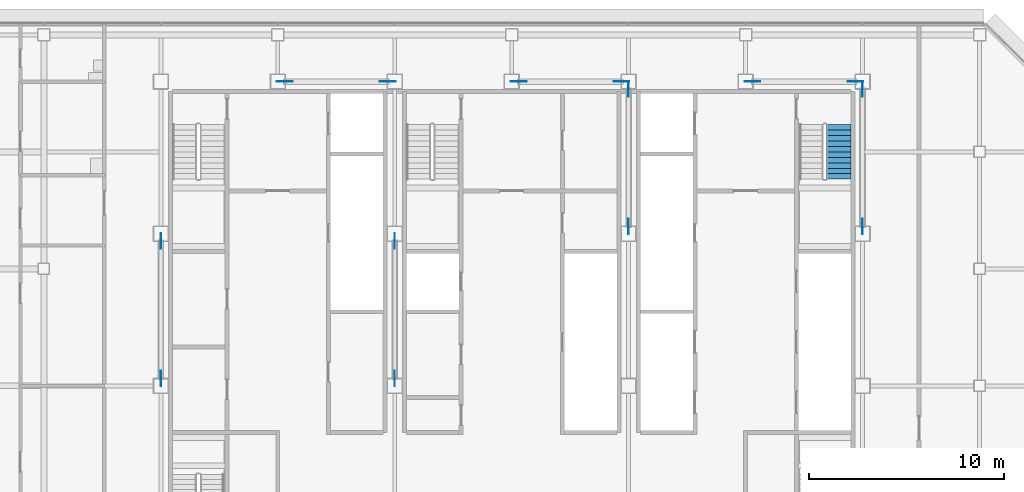
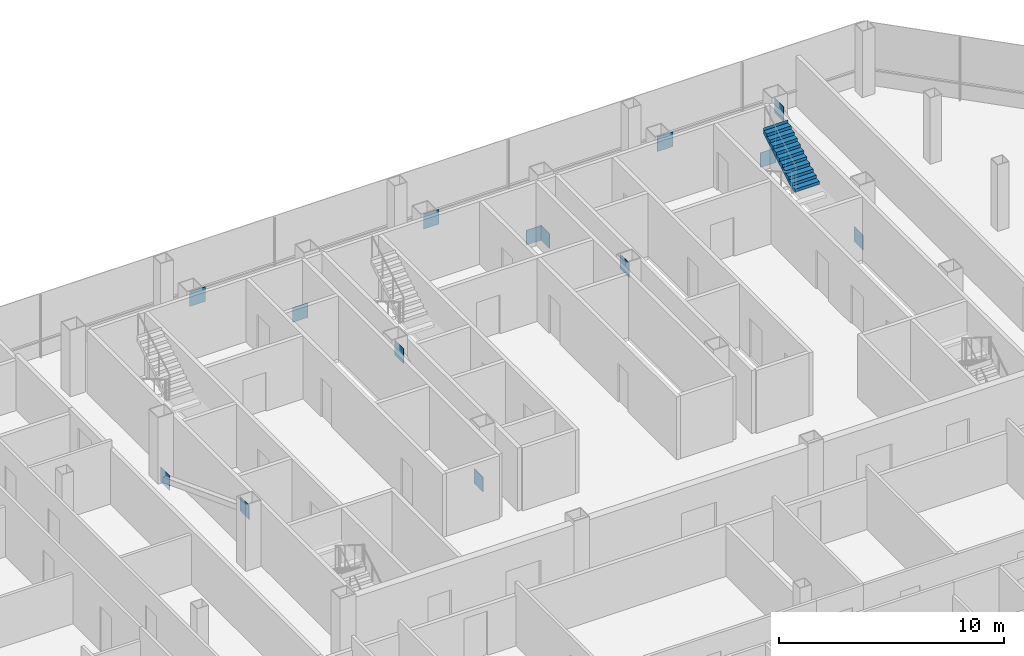
# One storey, part 25 of 27: 14 discrete accessories, 1 stair flight, 1 element without a shape of its own.
"""IFC4 building model written with IfcOpenShell, lengths in metres."""

from ifc_helpers import new_model, si_unit, direction, frame, origin, origin_2d, place, context, subcontext, project, spatial, polyline, rectangle, outline, extrude, material, layer, layer_set, type_object, element, aggregate, save


model = new_model("IFC4")

# Units and contexts
model_context = context("Model", 3, precision=1e-05, world=origin(), true_north=direction((0.0, 1.0)))
body_context = subcontext(model_context, "Body", "Model", "MODEL_VIEW")
ifc_project = project(units=[si_unit("LENGTHUNIT", "METRE"), si_unit("AREAUNIT", "SQUARE_METRE"), si_unit("VOLUMEUNIT", "CUBIC_METRE"), si_unit("PLANEANGLEUNIT", "RADIAN"), si_unit("MASSUNIT", "GRAM", prefix="KILO")], contexts=[model_context])

# Site, building, storey
site_placement = place(None, origin())
site = spatial("IfcSite", under=ifc_project, at=site_placement, CompositionType="ELEMENT")
building_placement = place(site_placement, origin())
building = spatial("IfcBuilding", under=site, at=building_placement, Name="Sorahane Residences", CompositionType="ELEMENT")
storey_placement = place(building_placement, frame((0.0, 0.0, 226.199951171875)))
storey = spatial("IfcBuildingStorey", under=building, at=storey_placement, Name="L53", CompositionType="ELEMENT", Elevation=226.199951171875)

# Stair, stair flight
ifc_material_1 = material(Name="Concrete C40", Category="concrete")
stair_type = type_object("IfcStairType", Name="Dog-leg stair 1250 Concrete C40", PredefinedType="HALF_TURN_STAIR", material=ifc_material_1)
stair_placement = place(storey_placement, origin())
stair = element("IfcStair", 1, at=stair_placement, inside=storey, type_object=stair_type, Name="L53 Stair S2", PredefinedType="HALF_TURN_STAIR")
ifc_material_2 = material(Name="Concrete C40", Category="concrete")
stair_flight_type = type_object("IfcStairFlightType", Name="Stair flight 1250 Concrete C40", PredefinedType="STRAIGHT", material=ifc_material_2)
stair_flight_placement = place(storey_placement, frame((40.77490234375, 40.60009765625, 1.800048828125), z_axis=(0.0, 0.0, 1.0), x_axis=(0.0, 1.0, 0.0)))
stair_flight = element("IfcStairFlight", 2, at=stair_flight_placement, type_object=stair_flight_type, Name="S2 flight 2", NumberOfRisers=11, NumberOfTreads=10, PredefinedType="STRAIGHT", RiserHeight=0.163636364, TreadLength=0.28, context=body_context, shape_type="SweptSolid", body=[
    extrude(outline(polyline([(0.0, 0.0), (0.0, 0.16357421875), (0.280029296875, 0.16357421875), (0.280029296875, 0.327392578125), (0.56005859375, 0.327392578125), (0.56005859375, 0.490966796875), (0.840087890625, 0.490966796875), (0.840087890625, 0.654541015625), (1.1201171875, 0.654541015625), (1.1201171875, 0.818115234375), (1.39990234375, 0.818115234375), (1.39990234375, 0.98193359375), (1.679931640625, 0.98193359375), (1.679931640625, 1.1455078125), (1.9599609375, 1.1455078125), (1.9599609375, 1.30908203125), (2.239990234375, 1.30908203125), (2.239990234375, 1.47265625), (2.52001953125, 1.47265625), (2.52001953125, 1.636474609375), (2.800048828125, 1.636474609375), (2.800048828125, 1.800048828125), (2.801513671875, 1.800048828125), (2.801513671875, 1.462646484375), (2.5927734375, 1.3408203125), (2.384033203125, 1.218994140625), (2.17529296875, 1.09716796875), (1.966796875, 0.97509765625), (1.758056640625, 0.853271484375), (1.54931640625, 0.7314453125), (1.340576171875, 0.609375), (1.1318359375, 0.487548828125), (0.923095703125, 0.36572265625), (0.714599609375, 0.243896484375), (0.505859375, 0.121826171875), (0.297119140625, 0.0), (0.0, 0.0)])), frame((0.0, 0.625, 0.0), z_axis=(0.0, -1.0, 0.0), x_axis=(1.0, 0.0, 0.0)), (0.0, 0.0, 1.0), 1.25),
])
aggregate(stair, [stair_flight])

# Discrete accessories
ifc_material_3 = material(Name="Steel Q355B", Category="steel")
ifc_layer = layer(ifc_material_3, 0.02490234375)
ifc_layer_set = layer_set([ifc_layer], Name="Node plate Steel Q355B 25")
discrete_accessory_type = type_object("IfcDiscreteAccessoryType", Name="Node plate Steel Q355B 25", PredefinedType="BRACKET", material=ifc_layer_set)
for number, where, z_axis, x_axis, name in (
    (3, (6.0, 37.43212890625, -0.26220703125), (0.0, 0.0, 1.0), (0.0, 1.0, 0.0), "Node plate L53 br"),
    (4, (6.0, 30.367919921875, 2.43212890625), (0.0, 0.0, 1.0), (0.0, 1.0, 0.0), "Node plate L53 br"),
    (5, (18.0, 30.367919921875, -0.26220703125), (0.0, 0.0, 1.0), (0.0, 1.0, 0.0), "Node plate L53 br"),
    (6, (18.0, 37.43212890625, 2.43212890625), (0.0, 0.0, 1.0), (0.0, 1.0, 0.0), "Node plate L53 br"),
    (7, (30.0, 45.232177734375, -0.26220703125), (0.0, 0.0, 1.0), (0.0, 1.0, 0.0), "Node plate L53 br"),
    (8, (30.0, 38.16796875, 2.43212890625), (0.0, 0.0, 1.0), (0.0, 1.0, 0.0), "Node plate L53 br"),
    (9, (42.0, 38.16796875, -0.26220703125), (0.0, 0.0, 1.0), (0.0, 1.0, 0.0), "Node plate L53 br"),
    (10, (42.0, 45.232177734375, 2.43212890625), (0.0, 0.0, 1.0), (0.0, 1.0, 0.0), "Node plate L53 br"),
    (11, (17.64111328125, 45.60009765625, -0.27099609375), (0.0, 0.0, 1.0), (1.0, 0.0, 0.0), "Node plate L53 br"),
    (12, (29.64111328125, 45.60009765625, -0.27099609375), (0.0, 0.0, 1.0), (1.0, 0.0, 0.0), "Node plate L53 br"),
    (13, (41.64111328125, 45.60009765625, -0.27099609375), (0.0, 0.0, 1.0), (1.0, 0.0, 0.0), "Node plate L53 br"),
    (14, (12.35888671875, 45.60009765625, 2.44091796875), (0.0, 0.0, 1.0), (1.0, 0.0, 0.0), "Node plate L53 br"),
    (15, (24.35888671875, 45.60009765625, 2.44091796875), (0.0, 0.0, 1.0), (1.0, 0.0, 0.0), "Node plate L53 br"),
    (16, (36.35888671875, 45.60009765625, 2.44091796875), (0.0, 0.0, 1.0), (1.0, 0.0, 0.0), "Node plate L53 br"),
):
    element("IfcDiscreteAccessory", number, at=place(storey_placement, frame(where, z_axis=z_axis, x_axis=x_axis)), inside=storey, type_object=discrete_accessory_type, Name=name, PredefinedType="BRACKET", context=body_context, shape_type="SweptSolid", body=[
        extrude(rectangle(XDim=0.800048828125, YDim=0.02490234375, at=origin_2d()), origin(), (0.0, 0.0, 1.0), 0.800048828125),
    ])

save(model, "model.ifc")
